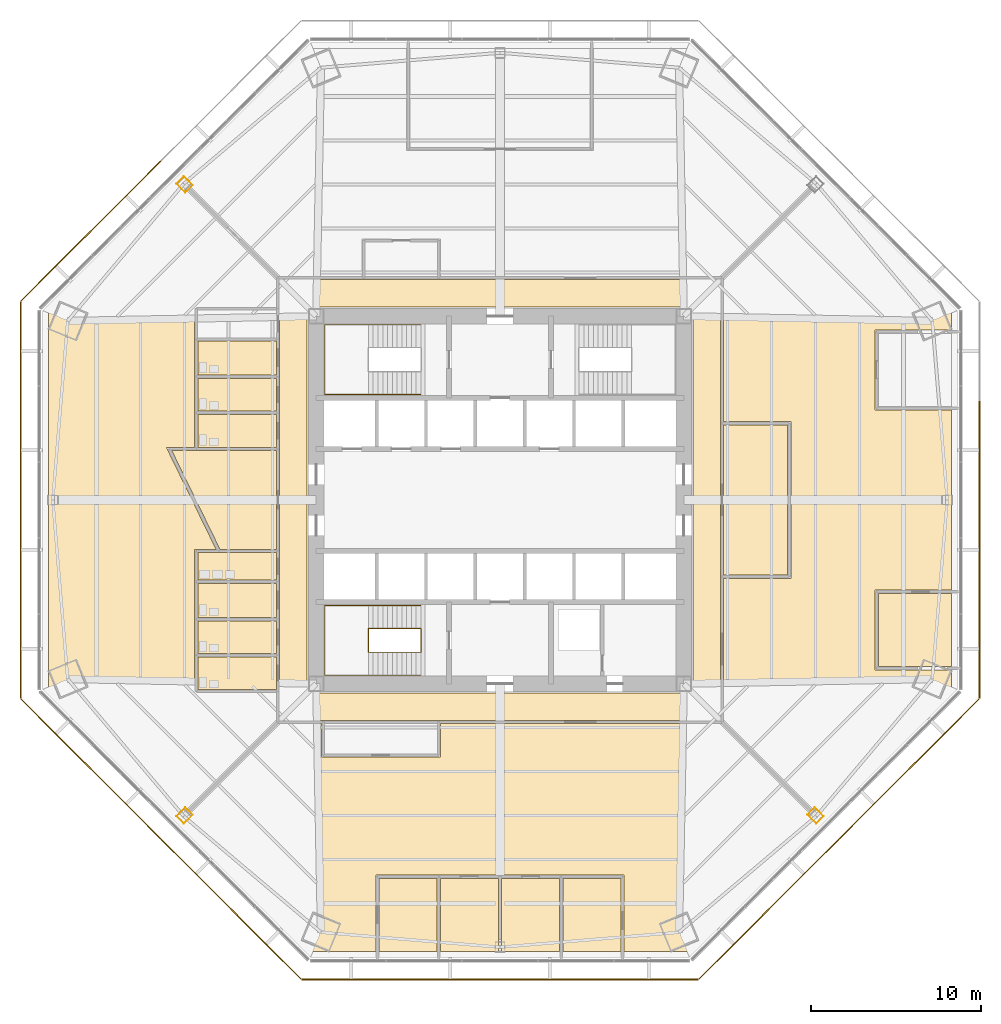
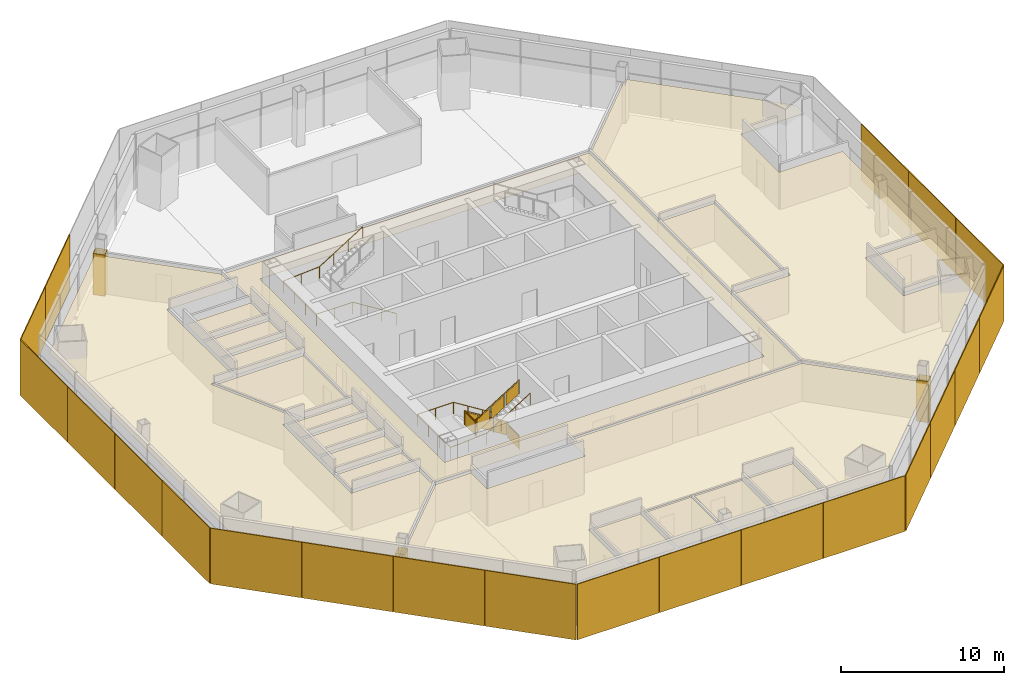
# One storey, part 12 of 14: 21 coverings, 21 shading devices, 3 railings.
"""IFC4 building model written with IfcOpenShell, lengths in metres."""

from ifc_helpers import new_model, si_unit, direction, frame, origin, origin_2d, place, context, subcontext, project, spatial, polyline, rectangle, circle, outline, extrude, source, transform, mapped, material, layer, layer_set, type_object, type_shapes, element, save


model = new_model("IFC4")

# Units and contexts
model_context = context("Model", 3, precision=1e-05, world=origin(), true_north=direction((0.0, 1.0)))
body_context = subcontext(model_context, "Body", "Model", "MODEL_VIEW")
ifc_project = project(units=[si_unit("LENGTHUNIT", "METRE"), si_unit("AREAUNIT", "SQUARE_METRE"), si_unit("VOLUMEUNIT", "CUBIC_METRE"), si_unit("PLANEANGLEUNIT", "RADIAN"), si_unit("MASSUNIT", "GRAM", prefix="KILO")], contexts=[model_context])

# Site, building, storey
site_placement = place(None, origin())
site = spatial("IfcSite", under=ifc_project, at=site_placement, CompositionType="ELEMENT")
building_placement = place(site_placement, origin())
building = spatial("IfcBuilding", under=site, at=building_placement, Name="Mashrafa Tower", CompositionType="ELEMENT")
storey_placement = place(building_placement, frame((0.0, 0.0, 33.0)))
storey = spatial("IfcBuildingStorey", under=building, at=storey_placement, Name="L06", CompositionType="ELEMENT", Elevation=33.0)

# Coverings
ifc_material_1 = material(Name="Gypsum board")
ifc_layer_1 = layer(ifc_material_1, 0.014892578125)
ifc_layer_set_1 = layer_set([ifc_layer_1], Name="Column casing plasterboard 15")
covering_type_1 = type_object("IfcCoveringType", Name="Column casing plasterboard 15", PredefinedType="CLADDING", material=ifc_layer_set_1)
covering_1_placement = place(storey_placement, origin())
element("IfcCovering", 1, at=covering_1_placement, inside=storey, type_object=covering_type_1, Name="Column casing L06-002", PredefinedType="CLADDING", context=body_context, shape_type="SweptSolid", body=[
    extrude(outline(polyline([(-19.029296875, 18.583740234375), (-18.583740234375, 19.029296875), (-18.053955078125, 18.49951171875), (-18.49951171875, 18.053955078125), (-19.029296875, 18.583740234375)]), holes=[polyline([(-18.0751953125, 18.49951171875), (-18.583740234375, 19.008056640625), (-19.008056640625, 18.583740234375), (-18.49951171875, 18.0751953125), (-18.0751953125, 18.49951171875)])]), origin(), (0.0, 0.0, 1.0), 3.097900390625),
])
covering_2_placement = place(storey_placement, origin())
element("IfcCovering", 2, at=covering_2_placement, inside=storey, type_object=covering_type_1, Name="Column casing L06-003", PredefinedType="CLADDING", context=body_context, shape_type="SweptSolid", body=[
    extrude(outline(polyline([(-19.029296875, -18.583740234375), (-18.49951171875, -18.053955078125), (-18.053955078125, -18.49951171875), (-18.583740234375, -19.029296875), (-19.029296875, -18.583740234375)]), holes=[polyline([(-18.0751953125, -18.49951171875), (-18.49951171875, -18.0751953125), (-19.008056640625, -18.583740234375), (-18.583740234375, -19.008056640625), (-18.0751953125, -18.49951171875)])]), origin(), (0.0, 0.0, 1.0), 3.097900390625),
])
covering_3_placement = place(storey_placement, origin())
element("IfcCovering", 3, at=covering_3_placement, inside=storey, type_object=covering_type_1, Name="Column casing L06-004", PredefinedType="CLADDING", context=body_context, shape_type="SweptSolid", body=[
    extrude(outline(polyline([(18.053955078125, -18.49951171875), (18.49951171875, -18.053955078125), (19.029296875, -18.583740234375), (18.583740234375, -19.029296875), (18.053955078125, -18.49951171875)]), holes=[polyline([(19.008056640625, -18.583740234375), (18.49951171875, -18.0751953125), (18.0751953125, -18.49951171875), (18.583740234375, -19.008056640625), (19.008056640625, -18.583740234375)])]), origin(), (0.0, 0.0, 1.0), 3.097900390625),
])

# Railings
ifc_material_2 = material(Name="Steel guard with glass infill", Category="steel")
railing_type_1 = type_object("IfcRailingType", Name="Stair guard 1100", PredefinedType="GUARDRAIL", material=ifc_material_2)
railing_1_placement = place(storey_placement, frame((-4.64990234375, -8.949951171875, 0.0)))
element("IfcRailing", 4, at=railing_1_placement, inside=storey, type_object=railing_type_1, Name="Stair S3 guard L06", PredefinedType="GUARDRAIL", context=body_context, shape_type="SweptSolid", body=[
    extrude(circle(Radius=0.02392578125, at=origin_2d()), frame((0.0, 0.0, 1.076171875), z_axis=(0.0, 1.0, 0.0), x_axis=(-1.0, 0.0, 0.0)), (0.0, 0.0, 1.0), 1.39990234375),
    extrude(circle(Radius=0.02392578125, at=origin_2d()), frame((0.0, 1.39990234375, 1.076171875), z_axis=(0.0, 0.0, 1.0), x_axis=(1.0, 0.0, 0.0)), (0.0, 0.0, 1.0), 0.175048828125),
    extrude(circle(Radius=0.02392578125, at=origin_2d()), frame((0.0, 1.39990234375, 1.2509765625), z_axis=(-0.847998304005, 0.0, 0.529998940003), x_axis=(0.0, -1.0, 0.0)), (0.0, 0.0, 1.0), 3.632080078125),
    extrude(circle(Radius=0.02392578125, at=origin_2d()), frame((-3.080078125, 1.39990234375, 3.17626953125), z_axis=(0.0, -1.0, 0.0), x_axis=(1.0, 0.0, 0.0)), (0.0, 0.0, 1.0), 1.39990234375),
    extrude(circle(Radius=0.02392578125, at=origin_2d()), frame((-3.080078125, 0.0, 3.17626953125), z_axis=(0.0, 0.0, 1.0), x_axis=(1.0, 0.0, 0.0)), (0.0, 0.0, 1.0), 0.1748046875),
    extrude(circle(Radius=0.02392578125, at=origin_2d()), frame((-3.080078125, 0.0, 3.35107421875), z_axis=(0.847998304005, 0.0, 0.529998940003), x_axis=(0.0, 1.0, 0.0)), (0.0, 0.0, 1.0), 3.632080078125),
    extrude(circle(Radius=0.02099609375, at=origin_2d()), origin(), (0.0, 0.0, 1.0), 1.052001953125),
    extrude(circle(Radius=0.02099609375, at=origin_2d()), frame((0.0, 1.39990234375, 0.0)), (0.0, 0.0, 1.0), 1.052001953125),
    extrude(circle(Radius=0.02099609375, at=origin_2d()), frame((0.0, 1.39990234375, 0.175048828125)), (0.0, 0.0, 1.0), 1.052001953125),
    extrude(circle(Radius=0.02099609375, at=origin_2d()), frame((-1.026611328125, 1.39990234375, 0.816650390625)), (0.0, 0.0, 1.0), 1.052001953125),
    extrude(circle(Radius=0.02099609375, at=origin_2d()), frame((-2.053466796875, 1.39990234375, 1.45849609375)), (0.0, 0.0, 1.0), 1.052001953125),
    extrude(circle(Radius=0.02099609375, at=origin_2d()), frame((-3.080078125, 1.39990234375, 2.10009765625)), (0.0, 0.0, 1.0), 1.052001953125),
    extrude(circle(Radius=0.02099609375, at=origin_2d()), frame((-3.080078125, 0.0, 2.10009765625)), (0.0, 0.0, 1.0), 1.052001953125),
    extrude(circle(Radius=0.02099609375, at=origin_2d()), frame((-3.080078125, 0.0, 2.27490234375)), (0.0, 0.0, 1.0), 1.052001953125),
    extrude(circle(Radius=0.02099609375, at=origin_2d()), frame((-2.053466796875, 0.0, 2.91650390625)), (0.0, 0.0, 1.0), 1.052001953125),
    extrude(circle(Radius=0.02099609375, at=origin_2d()), frame((-1.026611328125, 0.0, 3.558349609375)), (0.0, 0.0, 1.0), 1.052001953125),
    extrude(circle(Radius=0.02099609375, at=origin_2d()), frame((0.0, 0.0, 4.199951171875)), (0.0, 0.0, 1.0), 1.052001953125),
    extrude(outline(polyline([(0.071044921875, 0.050048828125), (1.328857421875, 0.050048828125), (1.328857421875, 1.001953125), (0.071044921875, 1.001953125), (0.071044921875, 0.050048828125)])), frame((0.006103515625, 0.0, 0.0), z_axis=(1.0, 0.0, 0.0), x_axis=(0.0, 1.0, 0.0)), (0.0, 0.0, 1.0), 0.011962890625),
    extrude(outline(polyline([(0.071044921875, 0.094482421875), (0.955810546875, 0.647216796875), (0.955810546875, 1.599365234375), (0.071044921875, 1.04638671875), (0.071044921875, 0.094482421875)])), frame((0.0, 1.406005859375, 0.175048828125), z_axis=(0.0, 1.0, 0.0), x_axis=(-1.0, 0.0, 0.0)), (0.0, 0.0, 1.0), 0.011962890625),
    extrude(outline(polyline([(1.09765625, 0.736083984375), (1.982421875, 1.2890625), (1.982421875, 2.240966796875), (1.09765625, 1.68798828125), (1.09765625, 0.736083984375)])), frame((0.0, 1.406005859375, 0.175048828125), z_axis=(0.0, 1.0, 0.0), x_axis=(-1.0, 0.0, 0.0)), (0.0, 0.0, 1.0), 0.011962890625),
    extrude(outline(polyline([(2.124267578125, 1.377685546875), (3.009033203125, 1.9306640625), (3.009033203125, 2.882568359375), (2.124267578125, 2.329833984375), (2.124267578125, 1.377685546875)])), frame((0.0, 1.406005859375, 0.175048828125), z_axis=(0.0, 1.0, 0.0), x_axis=(-1.0, 0.0, 0.0)), (0.0, 0.0, 1.0), 0.011962890625),
    extrude(outline(polyline([(0.071044921875, 0.050048828125), (1.328857421875, 0.050048828125), (1.328857421875, 1.001953125), (0.071044921875, 1.001953125), (0.071044921875, 0.050048828125)])), frame((-3.086181640625, 1.39990234375, 2.10009765625), z_axis=(-1.0, 0.0, 0.0), x_axis=(0.0, -1.0, 0.0)), (0.0, 0.0, 1.0), 0.011962890625),
    extrude(outline(polyline([(0.071044921875, 0.094482421875), (0.955810546875, 0.647216796875), (0.955810546875, 1.599365234375), (0.071044921875, 1.04638671875), (0.071044921875, 0.094482421875)])), frame((-3.080078125, -0.006103515625, 2.27490234375), z_axis=(0.0, -1.0, 0.0), x_axis=(1.0, 0.0, 0.0)), (0.0, 0.0, 1.0), 0.011962890625),
    extrude(outline(polyline([(1.09765625, 0.736083984375), (1.982421875, 1.2890625), (1.982421875, 2.240966796875), (1.09765625, 1.68798828125), (1.09765625, 0.736083984375)])), frame((-3.080078125, -0.006103515625, 2.27490234375), z_axis=(0.0, -1.0, 0.0), x_axis=(1.0, 0.0, 0.0)), (0.0, 0.0, 1.0), 0.011962890625),
    extrude(outline(polyline([(2.124267578125, 1.377685546875), (3.009033203125, 1.9306640625), (3.009033203125, 2.882568359375), (2.124267578125, 2.329833984375), (2.124267578125, 1.377685546875)])), frame((-3.080078125, -0.006103515625, 2.27490234375), z_axis=(0.0, -1.0, 0.0), x_axis=(1.0, 0.0, 0.0)), (0.0, 0.0, 1.0), 0.011962890625),
])
ifc_material_3 = material(Name="Steel", Category="steel")
railing_type_2 = type_object("IfcRailingType", Name="Stair handrail 900", PredefinedType="HANDRAIL", material=ifc_material_3)
railing_2_placement = place(storey_placement, frame((-4.64990234375, 6.199951171875, 0.175048828125)))
element("IfcRailing", 5, at=railing_2_placement, inside=storey, type_object=railing_type_2, Name="Stair S1 handrail L06", PredefinedType="HANDRAIL", context=body_context, shape_type="SweptSolid", body=[
    extrude(circle(Radius=0.02392578125, at=origin_2d()), frame((0.0, 0.0, 0.8759765625), z_axis=(-0.847998304005, 0.0, 0.529998940003), x_axis=(0.0, -1.0, 0.0)), (0.0, 0.0, 1.0), 3.632080078125),
    extrude(circle(Radius=0.02392578125, at=origin_2d()), frame((-3.080078125, 0.0, 2.80078125), z_axis=(-1.0, 0.0, 0.0), x_axis=(0.0, -1.0, 0.0)), (0.0, 0.0, 1.0), 2.570068359375),
    extrude(circle(Radius=0.02392578125, at=origin_2d()), frame((-5.650146484375, 0.0, 2.80078125), z_axis=(0.0, 1.0, 0.0), x_axis=(-1.0, 0.0, 0.0)), (0.0, 0.0, 1.0), 4.10009765625),
    extrude(circle(Radius=0.02392578125, at=origin_2d()), frame((-5.650146484375, 4.10009765625, 2.80078125), z_axis=(0.99769493506, 0.0, 0.067858798661), x_axis=(0.0, 1.0, 0.0)), (0.0, 0.0, 1.0), 2.575927734375),
    extrude(circle(Radius=0.02392578125, at=origin_2d()), frame((-3.080078125, 4.10009765625, 2.9755859375), z_axis=(0.847998304005, 0.0, 0.529998940003), x_axis=(0.0, 1.0, 0.0)), (0.0, 0.0, 1.0), 3.632080078125),
    extrude(circle(Radius=0.02099609375, at=origin_2d()), origin(), (0.0, 0.0, 1.0), 0.851806640625),
    extrude(circle(Radius=0.02099609375, at=origin_2d()), frame((-1.026611328125, 0.0, 0.6416015625)), (0.0, 0.0, 1.0), 0.851806640625),
    extrude(circle(Radius=0.02099609375, at=origin_2d()), frame((-2.053466796875, 0.0, 1.283447265625)), (0.0, 0.0, 1.0), 0.851806640625),
    extrude(circle(Radius=0.02099609375, at=origin_2d()), frame((-3.080078125, 0.0, 1.925048828125)), (0.0, 0.0, 1.0), 0.851806640625),
    extrude(circle(Radius=0.02099609375, at=origin_2d()), frame((-4.365234375, 0.0, 1.925048828125)), (0.0, 0.0, 1.0), 0.851806640625),
    extrude(circle(Radius=0.02099609375, at=origin_2d()), frame((-5.650146484375, 0.0, 1.925048828125)), (0.0, 0.0, 1.0), 0.851806640625),
    extrude(circle(Radius=0.02099609375, at=origin_2d()), frame((-5.650146484375, 1.36669921875, 1.925048828125)), (0.0, 0.0, 1.0), 0.851806640625),
    extrude(circle(Radius=0.02099609375, at=origin_2d()), frame((-5.650146484375, 2.7333984375, 1.925048828125)), (0.0, 0.0, 1.0), 0.851806640625),
    extrude(circle(Radius=0.02099609375, at=origin_2d()), frame((-5.650146484375, 4.10009765625, 1.925048828125)), (0.0, 0.0, 1.0), 0.851806640625),
    extrude(circle(Radius=0.02099609375, at=origin_2d()), frame((-4.365234375, 4.10009765625, 2.012451171875)), (0.0, 0.0, 1.0), 0.851806640625),
    extrude(circle(Radius=0.02099609375, at=origin_2d()), frame((-3.080078125, 4.10009765625, 2.099853515625)), (0.0, 0.0, 1.0), 0.851806640625),
    extrude(circle(Radius=0.02099609375, at=origin_2d()), frame((-2.053466796875, 4.10009765625, 2.741455078125)), (0.0, 0.0, 1.0), 0.851806640625),
    extrude(circle(Radius=0.02099609375, at=origin_2d()), frame((-1.026611328125, 4.10009765625, 3.38330078125)), (0.0, 0.0, 1.0), 0.851806640625),
    extrude(circle(Radius=0.02099609375, at=origin_2d()), frame((0.0, 4.10009765625, 4.02490234375)), (0.0, 0.0, 1.0), 0.851806640625),
])
railing_3_placement = place(storey_placement, frame((-4.64990234375, -6.199951171875, 0.175048828125)))
element("IfcRailing", 6, at=railing_3_placement, inside=storey, type_object=railing_type_2, Name="Stair S3 handrail L06", PredefinedType="HANDRAIL", context=body_context, shape_type="SweptSolid", body=[
    extrude(circle(Radius=0.02392578125, at=origin_2d()), frame((0.0, 0.0, 0.8759765625), z_axis=(-0.847998304005, 0.0, 0.529998940003), x_axis=(0.0, -1.0, 0.0)), (0.0, 0.0, 1.0), 3.632080078125),
    extrude(circle(Radius=0.02392578125, at=origin_2d()), frame((-3.080078125, 0.0, 2.80078125), z_axis=(-1.0, 0.0, 0.0), x_axis=(0.0, -1.0, 0.0)), (0.0, 0.0, 1.0), 2.570068359375),
    extrude(circle(Radius=0.02392578125, at=origin_2d()), frame((-5.650146484375, 0.0, 2.80078125), z_axis=(0.0, -1.0, 0.0), x_axis=(1.0, 0.0, 0.0)), (0.0, 0.0, 1.0), 4.10009765625),
    extrude(circle(Radius=0.02392578125, at=origin_2d()), frame((-5.650146484375, -4.10009765625, 2.80078125), z_axis=(0.99769493506, 0.0, 0.067858798661), x_axis=(0.0, 1.0, 0.0)), (0.0, 0.0, 1.0), 2.575927734375),
    extrude(circle(Radius=0.02392578125, at=origin_2d()), frame((-3.080078125, -4.10009765625, 2.9755859375), z_axis=(0.847998304005, 0.0, 0.529998940003), x_axis=(0.0, 1.0, 0.0)), (0.0, 0.0, 1.0), 3.632080078125),
    extrude(circle(Radius=0.02099609375, at=origin_2d()), origin(), (0.0, 0.0, 1.0), 0.851806640625),
    extrude(circle(Radius=0.02099609375, at=origin_2d()), frame((-1.026611328125, 0.0, 0.6416015625)), (0.0, 0.0, 1.0), 0.851806640625),
    extrude(circle(Radius=0.02099609375, at=origin_2d()), frame((-2.053466796875, 0.0, 1.283447265625)), (0.0, 0.0, 1.0), 0.851806640625),
    extrude(circle(Radius=0.02099609375, at=origin_2d()), frame((-3.080078125, 0.0, 1.925048828125)), (0.0, 0.0, 1.0), 0.851806640625),
    extrude(circle(Radius=0.02099609375, at=origin_2d()), frame((-4.365234375, 0.0, 1.925048828125)), (0.0, 0.0, 1.0), 0.851806640625),
    extrude(circle(Radius=0.02099609375, at=origin_2d()), frame((-5.650146484375, 0.0, 1.925048828125)), (0.0, 0.0, 1.0), 0.851806640625),
    extrude(circle(Radius=0.02099609375, at=origin_2d()), frame((-5.650146484375, -1.36669921875, 1.925048828125)), (0.0, 0.0, 1.0), 0.851806640625),
    extrude(circle(Radius=0.02099609375, at=origin_2d()), frame((-5.650146484375, -2.7333984375, 1.925048828125)), (0.0, 0.0, 1.0), 0.851806640625),
    extrude(circle(Radius=0.02099609375, at=origin_2d()), frame((-5.650146484375, -4.10009765625, 1.925048828125)), (0.0, 0.0, 1.0), 0.851806640625),
    extrude(circle(Radius=0.02099609375, at=origin_2d()), frame((-4.365234375, -4.10009765625, 2.012451171875)), (0.0, 0.0, 1.0), 0.851806640625),
    extrude(circle(Radius=0.02099609375, at=origin_2d()), frame((-3.080078125, -4.10009765625, 2.099853515625)), (0.0, 0.0, 1.0), 0.851806640625),
    extrude(circle(Radius=0.02099609375, at=origin_2d()), frame((-2.053466796875, -4.10009765625, 2.741455078125)), (0.0, 0.0, 1.0), 0.851806640625),
    extrude(circle(Radius=0.02099609375, at=origin_2d()), frame((-1.026611328125, -4.10009765625, 3.38330078125)), (0.0, 0.0, 1.0), 0.851806640625),
    extrude(circle(Radius=0.02099609375, at=origin_2d()), frame((0.0, -4.10009765625, 4.02490234375)), (0.0, 0.0, 1.0), 0.851806640625),
])

# Coverings
ifc_material_4 = material(Name="Mineral fibre tile on suspension grid")
ifc_layer_2 = layer(ifc_material_4, 0.014892578125)
ifc_layer_set_2 = layer_set([ifc_layer_2], Name="Suspended ceiling mineral tile 15")
covering_type_2 = type_object("IfcCoveringType", Name="Suspended ceiling mineral tile 15", PredefinedType="CEILING", material=ifc_layer_set_2)
covering_4_placement = place(storey_placement, frame((0.0, 0.0, 2.85009765625)))
element("IfcCovering", 7, at=covering_4_placement, inside=storey, type_object=covering_type_2, Name="Ceiling Office Corridor L06", PredefinedType="CEILING", context=body_context, shape_type="SweptSolid", body=[
    extrude(outline(polyline([(-12.949951171875, -12.949951171875), (-12.949951171875, 12.949951171875), (12.949951171875, 12.949951171875), (12.949951171875, -12.949951171875), (-12.949951171875, -12.949951171875)]), holes=[polyline([(11.35009765625, 11.35009765625), (-11.35009765625, 11.35009765625), (-11.35009765625, -11.35009765625), (11.35009765625, -11.35009765625), (11.35009765625, 11.35009765625)])]), origin(), (0.0, 0.0, 1.0), 0.014892578125),
])
covering_5_placement = place(storey_placement, frame((0.0, 0.0, 2.89990234375)))
element("IfcCovering", 8, at=covering_5_placement, inside=storey, type_object=covering_type_2, Name="Ceiling WC Female L06 N", PredefinedType="CEILING", context=body_context, shape_type="SweptSolid", body=[
    extrude(outline(polyline([(-17.75, 3.10009765625), (-17.75, 5.02490234375), (-13.14990234375, 5.02490234375), (-13.14990234375, 3.10009765625), (-17.75, 3.10009765625)])), origin(), (0.0, 0.0, 1.0), 0.01513671875),
])
covering_6_placement = place(storey_placement, frame((0.0, 0.0, 2.89990234375)))
element("IfcCovering", 9, at=covering_6_placement, inside=storey, type_object=covering_type_2, Name="Ceiling WC Male L06 N", PredefinedType="CEILING", context=body_context, shape_type="SweptSolid", body=[
    extrude(outline(polyline([(-17.75, 5.22509765625), (-17.75, 7.14990234375), (-13.14990234375, 7.14990234375), (-13.14990234375, 5.22509765625), (-17.75, 5.22509765625)])), origin(), (0.0, 0.0, 1.0), 0.01513671875),
])
covering_7_placement = place(storey_placement, frame((0.0, 0.0, 2.89990234375)))
element("IfcCovering", 10, at=covering_7_placement, inside=storey, type_object=covering_type_2, Name="Ceiling Accessible WC L06 N", PredefinedType="CEILING", context=body_context, shape_type="SweptSolid", body=[
    extrude(outline(polyline([(-17.75, 7.35009765625), (-17.75, 9.35009765625), (-13.14990234375, 9.35009765625), (-13.14990234375, 7.35009765625), (-17.75, 7.35009765625)])), origin(), (0.0, 0.0, 1.0), 0.01513671875),
])
covering_8_placement = place(storey_placement, frame((0.0, 0.0, 2.89990234375)))
element("IfcCovering", 11, at=covering_8_placement, inside=storey, type_object=covering_type_2, Name="Ceiling WC Female L06 S", PredefinedType="CEILING", context=body_context, shape_type="SweptSolid", body=[
    extrude(outline(polyline([(-17.75, -11.14990234375), (-17.75, -9.22509765625), (-13.14990234375, -9.22509765625), (-13.14990234375, -11.14990234375), (-17.75, -11.14990234375)])), origin(), (0.0, 0.0, 1.0), 0.01513671875),
])
covering_9_placement = place(storey_placement, frame((0.0, 0.0, 2.89990234375)))
element("IfcCovering", 12, at=covering_9_placement, inside=storey, type_object=covering_type_2, Name="Ceiling WC Male L06 S", PredefinedType="CEILING", context=body_context, shape_type="SweptSolid", body=[
    extrude(outline(polyline([(-17.75, -9.02490234375), (-17.75, -7.10009765625), (-13.14990234375, -7.10009765625), (-13.14990234375, -9.02490234375), (-17.75, -9.02490234375)])), origin(), (0.0, 0.0, 1.0), 0.01513671875),
])
covering_10_placement = place(storey_placement, frame((0.0, 0.0, 2.89990234375)))
element("IfcCovering", 13, at=covering_10_placement, inside=storey, type_object=covering_type_2, Name="Ceiling Accessible WC L06 S", PredefinedType="CEILING", context=body_context, shape_type="SweptSolid", body=[
    extrude(outline(polyline([(-17.75, -6.89990234375), (-17.75, -4.89990234375), (-13.14990234375, -4.89990234375), (-13.14990234375, -6.89990234375), (-17.75, -6.89990234375)])), origin(), (0.0, 0.0, 1.0), 0.01513671875),
])
covering_11_placement = place(storey_placement, frame((0.0, 0.0, 2.89990234375)))
element("IfcCovering", 14, at=covering_11_placement, inside=storey, type_object=covering_type_2, Name="Ceiling Ablution Room L06 S", PredefinedType="CEILING", context=body_context, shape_type="SweptSolid", body=[
    extrude(outline(polyline([(-17.75, -4.699951171875), (-17.75, -3.10009765625), (-13.14990234375, -3.10009765625), (-13.14990234375, -4.699951171875), (-17.75, -4.699951171875)])), origin(), (0.0, 0.0, 1.0), 0.01513671875),
])
covering_12_placement = place(storey_placement, frame((0.0, 0.0, 2.85009765625)))
element("IfcCovering", 15, at=covering_12_placement, inside=storey, type_object=covering_type_2, Name="Ceiling Musallah Prayer Room 06", PredefinedType="CEILING", context=body_context, shape_type="SweptSolid", body=[
    extrude(outline(polyline([(-16.461181640625, -2.89990234375), (-19.2900390625, 2.89990234375), (-13.14990234375, 2.89990234375), (-13.14990234375, -2.89990234375), (-16.461181640625, -2.89990234375)])), origin(), (0.0, 0.0, 1.0), 0.014892578125),
])
covering_13_placement = place(storey_placement, frame((0.0, 0.0, 2.85009765625)))
element("IfcCovering", 16, at=covering_13_placement, inside=storey, type_object=covering_type_2, Name="Ceiling Reception and Waiting 06", PredefinedType="CEILING", context=body_context, shape_type="SweptSolid", body=[
    extrude(outline(polyline([(13.14990234375, 4.39990234375), (16.89990234375, 4.39990234375), (16.89990234375, -4.39990234375), (13.14990234375, -4.39990234375), (13.14990234375, 4.39990234375)])), origin(), (0.0, 0.0, 1.0), 0.014892578125),
])
covering_14_placement = place(storey_placement, frame((0.0, 0.0, 2.89990234375)))
element("IfcCovering", 17, at=covering_14_placement, inside=storey, type_object=covering_type_2, Name="Ceiling Executive Office 06-1", PredefinedType="CEILING", context=body_context, shape_type="SweptSolid", body=[
    extrude(outline(polyline([(-7.10009765625, -22.231201171875), (-3.699951171875, -22.231201171875), (-3.699951171875, -26.53125), (-7.10009765625, -26.53125), (-7.10009765625, -22.231201171875)])), origin(), (0.0, 0.0, 1.0), 0.01513671875),
])
covering_15_placement = place(storey_placement, frame((0.0, 0.0, 2.89990234375)))
element("IfcCovering", 18, at=covering_15_placement, inside=storey, type_object=covering_type_2, Name="Ceiling Executive Office 06-2", PredefinedType="CEILING", context=body_context, shape_type="SweptSolid", body=[
    extrude(outline(polyline([(-3.5, -22.231201171875), (-0.10009765625, -22.231201171875), (-0.10009765625, -26.53125), (-3.5, -26.53125), (-3.5, -22.231201171875)])), origin(), (0.0, 0.0, 1.0), 0.01513671875),
])
covering_16_placement = place(storey_placement, frame((0.0, 0.0, 2.89990234375)))
element("IfcCovering", 19, at=covering_16_placement, inside=storey, type_object=covering_type_2, Name="Ceiling Executive Office 06-3", PredefinedType="CEILING", context=body_context, shape_type="SweptSolid", body=[
    extrude(outline(polyline([(0.10009765625, -22.231201171875), (3.5, -22.231201171875), (3.5, -26.53125), (0.10009765625, -26.53125), (0.10009765625, -22.231201171875)])), origin(), (0.0, 0.0, 1.0), 0.01513671875),
])
covering_17_placement = place(storey_placement, frame((0.0, 0.0, 2.89990234375)))
element("IfcCovering", 20, at=covering_17_placement, inside=storey, type_object=covering_type_2, Name="Ceiling Executive Office 06-4", PredefinedType="CEILING", context=body_context, shape_type="SweptSolid", body=[
    extrude(outline(polyline([(3.699951171875, -22.231201171875), (7.10009765625, -22.231201171875), (7.10009765625, -26.53125), (3.699951171875, -26.53125), (3.699951171875, -22.231201171875)])), origin(), (0.0, 0.0, 1.0), 0.01513671875),
])
covering_18_placement = place(storey_placement, frame((0.0, 0.0, 2.89990234375)))
element("IfcCovering", 21, at=covering_18_placement, inside=storey, type_object=covering_type_2, Name="Ceiling Meeting Room 06-2", PredefinedType="CEILING", context=body_context, shape_type="SweptSolid", body=[
    extrude(outline(polyline([(22.231201171875, -5.5), (26.53125, -5.5), (26.53125, -9.800048828125), (22.231201171875, -9.800048828125), (22.231201171875, -5.5)])), origin(), (0.0, 0.0, 1.0), 0.01513671875),
])
covering_19_placement = place(storey_placement, frame((0.0, 0.0, 2.85009765625)))
element("IfcCovering", 22, at=covering_19_placement, inside=storey, type_object=covering_type_2, Name="Ceiling Private Banking Office 06", PredefinedType="CEILING", context=body_context, shape_type="SweptSolid", body=[
    extrude(outline(polyline([(13.14990234375, 13.008544921875), (18.8310546875, 18.689697265625), (26.53125, 10.989501953125), (26.53125, 10.0), (22.03125, 10.0), (22.03125, 5.300048828125), (26.53125, 5.300048828125), (26.53125, -5.300048828125), (22.03125, -5.300048828125), (22.03125, -10.0), (26.53125, -10.0), (26.53125, -10.989501953125), (18.8310546875, -18.689697265625), (13.14990234375, -13.008544921875), (13.14990234375, -4.60009765625), (17.10009765625, -4.60009765625), (17.10009765625, 4.60009765625), (13.14990234375, 4.60009765625), (13.14990234375, 13.008544921875)])), origin(), (0.0, 0.0, 1.0), 0.014892578125),
])
covering_20_placement = place(storey_placement, frame((0.0, 0.0, 2.85009765625)))
element("IfcCovering", 23, at=covering_20_placement, inside=storey, type_object=covering_type_2, Name="Ceiling Treasury Operations Office 06", PredefinedType="CEILING", context=body_context, shape_type="SweptSolid", body=[
    extrude(outline(polyline([(13.008544921875, -13.14990234375), (18.689697265625, -18.8310546875), (10.989501953125, -26.53125), (7.300048828125, -26.53125), (7.300048828125, -22.03125), (-7.300048828125, -22.03125), (-7.300048828125, -26.53125), (-10.989501953125, -26.53125), (-18.689697265625, -18.8310546875), (-13.008544921875, -13.14990234375), (-10.5, -13.14990234375), (-10.5, -15.10009765625), (-3.5, -15.10009765625), (-3.5, -13.14990234375), (13.008544921875, -13.14990234375)])), origin(), (0.0, 0.0, 1.0), 0.014892578125),
])
covering_21_placement = place(storey_placement, frame((0.0, 0.0, 2.85009765625)))
element("IfcCovering", 24, at=covering_21_placement, inside=storey, type_object=covering_type_2, Name="Ceiling Risk and Compliance Office 06", PredefinedType="CEILING", context=body_context, shape_type="SweptSolid", body=[
    extrude(outline(polyline([(-13.14990234375, -13.008544921875), (-18.8310546875, -18.689697265625), (-26.53125, -10.989501953125), (-26.53125, 10.989501953125), (-18.8310546875, 18.689697265625), (-13.14990234375, 13.008544921875), (-13.14990234375, 11.35009765625), (-17.949951171875, 11.35009765625), (-17.949951171875, 3.10009765625), (-19.610107421875, 3.10009765625), (-16.68359375, -2.89990234375), (-17.949951171875, -2.89990234375), (-17.949951171875, -11.35009765625), (-13.14990234375, -11.35009765625), (-13.14990234375, -13.008544921875)])), origin(), (0.0, 0.0, 1.0), 0.014892578125),
])

# Shading devices
ifc_material_5 = material(Name="Perforated aluminium plate, eight-point star pattern", Category="aluminium")
ifc_layer_3 = layer(ifc_material_5, 0.06005859375)
ifc_layer_set_3 = layer_set([ifc_layer_3], Name="Mashrabiya screen panel office zone 1, 45 percent open")
shading_device_type = type_object("IfcShadingDeviceType", Name="Mashrabiya screen panel office zone 1, 45 percent open", PredefinedType="SHUTTER", material=ifc_layer_set_3)
shared_shape = source(origin(), body_context, "Body", "SweptSolid", [
    extrude(rectangle(XDim=5.805419921875, YDim=0.06005859375, at=origin_2d()), origin(), (0.0, 0.0, 1.0), 4.179931640625),
])
type_shapes(shading_device_type, [shared_shape])
for number, where, z_axis, x_axis, name in (
    (25, (28.18115234375, -8.738037109375, -0.14990234375), (0.0, 0.0, 1.0), (0.0, 1.0, 0.0), "Mashrabiya screen L06 east 1"),
    (26, (28.18115234375, -2.91259765625, -0.14990234375), (0.0, 0.0, 1.0), (0.0, 1.0, 0.0), "Mashrabiya screen L06 east 2"),
    (27, (28.18115234375, 2.91259765625, -0.14990234375), (0.0, 0.0, 1.0), (0.0, 1.0, 0.0), "Mashrabiya screen L06 east 3"),
    (28, (-21.986572265625, 17.86767578125, -0.14990234375), (0.0, 0.0, 1.0), (-0.707106781187, -0.707106781187, 0.0), "Mashrabiya screen L06 north-west 3"),
    (29, (-26.105712890625, 13.74853515625, -0.14990234375), (0.0, 0.0, 1.0), (-0.707106781187, -0.707106781187, 0.0), "Mashrabiya screen L06 north-west 4"),
    (30, (-28.18115234375, 8.738037109375, -0.14990234375), (0.0, 0.0, 1.0), (0.0, -1.0, 0.0), "Mashrabiya screen L06 west 1"),
    (31, (-28.18115234375, 2.91259765625, -0.14990234375), (0.0, 0.0, 1.0), (0.0, -1.0, 0.0), "Mashrabiya screen L06 west 2"),
    (32, (-28.18115234375, -2.91259765625, -0.14990234375), (0.0, 0.0, 1.0), (0.0, -1.0, 0.0), "Mashrabiya screen L06 west 3"),
    (33, (-28.18115234375, -8.738037109375, -0.14990234375), (0.0, 0.0, 1.0), (0.0, -1.0, 0.0), "Mashrabiya screen L06 west 4"),
    (34, (-26.105712890625, -13.74853515625, -0.14990234375), (0.0, 0.0, 1.0), (0.707106781187, -0.707106781187, 0.0), "Mashrabiya screen L06 south-west 1"),
    (35, (-21.986572265625, -17.86767578125, -0.14990234375), (0.0, 0.0, 1.0), (0.707106781187, -0.707106781187, 0.0), "Mashrabiya screen L06 south-west 2"),
    (36, (-17.86767578125, -21.986572265625, -0.14990234375), (0.0, 0.0, 1.0), (0.707106781187, -0.707106781187, 0.0), "Mashrabiya screen L06 south-west 3"),
    (37, (-13.74853515625, -26.105712890625, -0.14990234375), (0.0, 0.0, 1.0), (0.707106781187, -0.707106781187, 0.0), "Mashrabiya screen L06 south-west 4"),
    (38, (-8.738037109375, -28.18115234375, -0.14990234375), (0.0, 0.0, 1.0), (1.0, 0.0, 0.0), "Mashrabiya screen L06 south 1"),
    (39, (-2.91259765625, -28.18115234375, -0.14990234375), (0.0, 0.0, 1.0), (1.0, 0.0, 0.0), "Mashrabiya screen L06 south 2"),
    (40, (2.91259765625, -28.18115234375, -0.14990234375), (0.0, 0.0, 1.0), (1.0, 0.0, 0.0), "Mashrabiya screen L06 south 3"),
    (41, (8.738037109375, -28.18115234375, -0.14990234375), (0.0, 0.0, 1.0), (1.0, 0.0, 0.0), "Mashrabiya screen L06 south 4"),
    (42, (13.74853515625, -26.105712890625, -0.14990234375), (0.0, 0.0, 1.0), (0.707106781187, 0.707106781187, 0.0), "Mashrabiya screen L06 south-east 1"),
    (43, (17.86767578125, -21.986572265625, -0.14990234375), (0.0, 0.0, 1.0), (0.707106781187, 0.707106781187, 0.0), "Mashrabiya screen L06 south-east 2"),
    (44, (21.986572265625, -17.86767578125, -0.14990234375), (0.0, 0.0, 1.0), (0.707106781187, 0.707106781187, 0.0), "Mashrabiya screen L06 south-east 3"),
    (45, (26.105712890625, -13.74853515625, -0.14990234375), (0.0, 0.0, 1.0), (0.707106781187, 0.707106781187, 0.0), "Mashrabiya screen L06 south-east 4"),
):
    element("IfcShadingDevice", number, at=place(storey_placement, frame(where, z_axis=z_axis, x_axis=x_axis)), inside=storey, type_object=shading_device_type, Name=name, PredefinedType="SHUTTER", context=body_context, shape_type="MappedRepresentation", body=[
        mapped(shared_shape, transform((0.0, 0.0, 0.0))),
    ])

save(model, "model.ifc")
